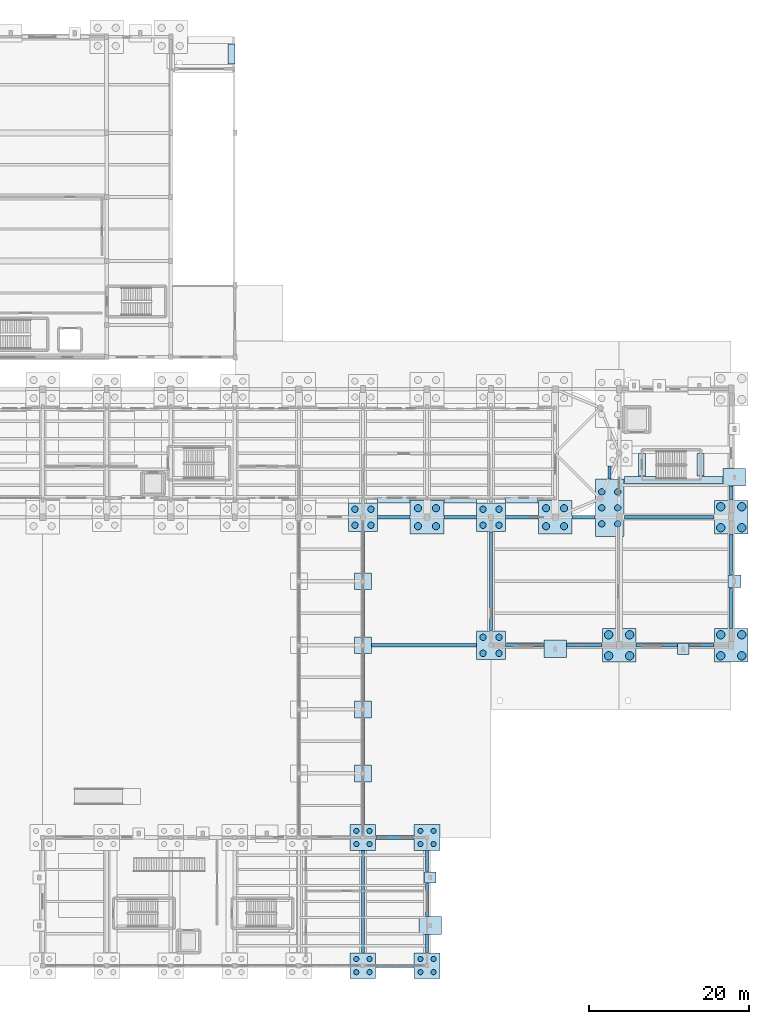
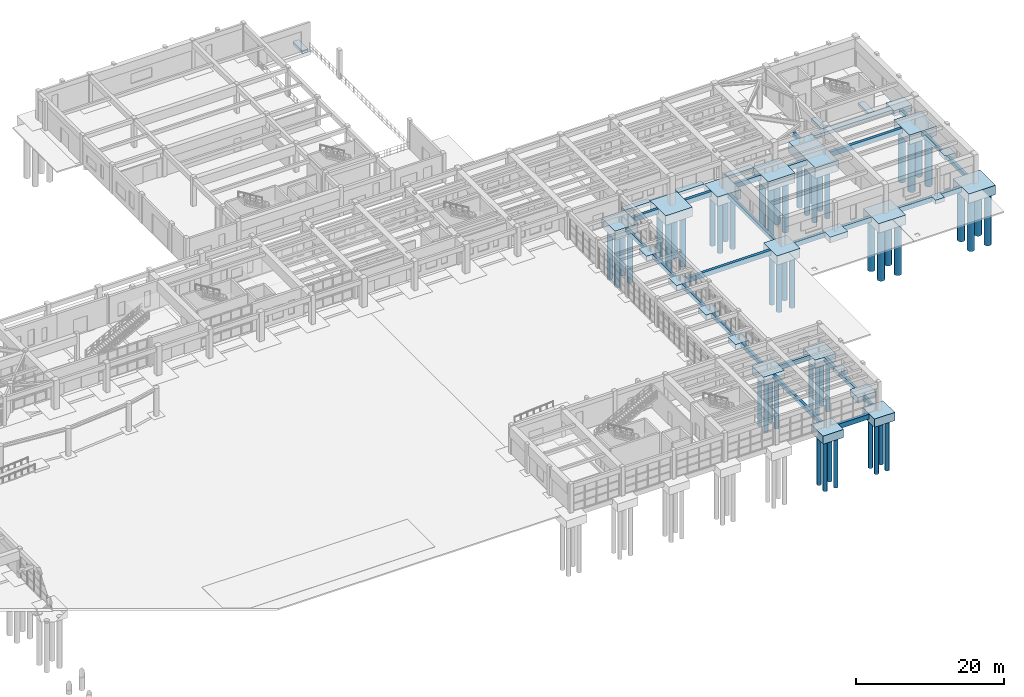
# One storey, part 5 of 68: 56 footings, 54 piles.
"""IFC4 building model written with IfcOpenShell, lengths in metres."""

from ifc_helpers import new_model, si_unit, direction, frame, origin, origin_2d, place, context, subcontext, project, spatial, polyline, rectangle, circle, outline, extrude, material, material_profile, profile_set, type_object, element, save


model = new_model("IFC4")

# Units and contexts
model_context = context("Model", 3, precision=1e-05, world=origin(), true_north=direction((0.0, 1.0)))
body_context = subcontext(model_context, "Body", "Model", "MODEL_VIEW")
ifc_project = project(units=[si_unit("LENGTHUNIT", "METRE"), si_unit("AREAUNIT", "SQUARE_METRE"), si_unit("VOLUMEUNIT", "CUBIC_METRE"), si_unit("PLANEANGLEUNIT", "RADIAN"), si_unit("MASSUNIT", "GRAM", prefix="KILO")], contexts=[model_context])

# Site, building, storey
site_placement = place(None, origin())
site = spatial("IfcSite", under=ifc_project, at=site_placement, CompositionType="ELEMENT")
building_placement = place(site_placement, origin())
building = spatial("IfcBuilding", under=site, at=building_placement, Name="Serraluz Foothill Cableway Terminal", CompositionType="ELEMENT")
storey_placement = place(building_placement, origin())
storey = spatial("IfcBuildingStorey", under=building, at=storey_placement, Name="L00", CompositionType="ELEMENT", Elevation=0.0)

# Footings
ifc_material_1 = material(Name="Concrete C35/45 (f'c 35 MPa)", Category="concrete")
ifc_material_profile_1 = material_profile(ifc_material_1, rectangle(XDim=0.39990234375, YDim=0.64990234375, at=origin_2d()), Name="RC 400x650")
ifc_profile_set_1 = profile_set([ifc_material_profile_1], Name="Concrete C35/45 (f'c 35 MPa)")
footing_type_1 = type_object("IfcFootingType", Name="TYP-FB-400X650", PredefinedType="FOOTING_BEAM", material=ifc_profile_set_1)
footing_1_placement = place(storey_placement, frame((128.0, 1.6240234375, -0.324951171875), z_axis=(0.0, 1.0, 0.0), x_axis=(-1.0, 0.0, 0.0)))
element("IfcFooting", 1, at=footing_1_placement, inside=storey, type_object=footing_type_1, Name="Seismic Tie Footing Beam FB-158", PredefinedType="FOOTING_BEAM", context=body_context, shape_type="SweptSolid", body=[
    extrude(rectangle(XDim=0.39990234375, YDim=0.64990234375, at=origin_2d()), origin(), (0.0, 0.0, 1.0), 12.751953125),
])
footing_2_placement = place(storey_placement, frame((128.0, 17.6240234375, -0.324951171875), z_axis=(0.0, 1.0, 0.0), x_axis=(-1.0, 0.0, 0.0)))
element("IfcFooting", 2, at=footing_2_placement, inside=storey, type_object=footing_type_1, Name="Seismic Tie Footing Beam FB-159", PredefinedType="FOOTING_BEAM", context=body_context, shape_type="SweptSolid", body=[
    extrude(rectangle(XDim=0.39990234375, YDim=0.64990234375, at=origin_2d()), origin(), (0.0, 0.0, 1.0), 5.302001953125),
])
for number, where, z_axis, x_axis, name in (
    (3, (128.0, 25.073974609375, -0.324951171875), (0.0, 1.0, 0.0), (-1.0, 0.0, 0.0), "Seismic Tie Footing Beam FB-160"),
    (4, (128.0, 33.073974609375, -0.324951171875), (0.0, 1.0, 0.0), (-1.0, 0.0, 0.0), "Seismic Tie Footing Beam FB-161"),
    (5, (128.0, 41.073974609375, -0.324951171875), (0.0, 1.0, 0.0), (-1.0, 0.0, 0.0), "Seismic Tie Footing Beam FB-162"),
):
    element("IfcFooting", number, at=place(storey_placement, frame(where, z_axis=z_axis, x_axis=x_axis)), inside=storey, type_object=footing_type_1, Name=name, PredefinedType="FOOTING_BEAM", context=body_context, shape_type="SweptSolid", body=[
        extrude(rectangle(XDim=0.39990234375, YDim=0.64990234375, at=origin_2d()), origin(), (0.0, 0.0, 1.0), 5.85205078125),
    ])
footing_3_placement = place(storey_placement, frame((128.0, 49.073974609375, -0.324951171875), z_axis=(0.0, 1.0, 0.0), x_axis=(-1.0, 0.0, 0.0)))
element("IfcFooting", 6, at=footing_3_placement, inside=storey, type_object=footing_type_1, Name="Seismic Tie Footing Beam FB-163", PredefinedType="FOOTING_BEAM", context=body_context, shape_type="SweptSolid", body=[
    extrude(rectangle(XDim=0.39990234375, YDim=0.64990234375, at=origin_2d()), origin(), (0.0, 0.0, 1.0), 5.10205078125),
])
footing_4_placement = place(storey_placement, frame((136.0, 1.6240234375, -0.324951171875), z_axis=(0.0, 1.0, 0.0), x_axis=(-1.0, 0.0, 0.0)))
element("IfcFooting", 7, at=footing_4_placement, inside=storey, type_object=footing_type_1, Name="Seismic Tie Footing Beam FB-165", PredefinedType="FOOTING_BEAM", context=body_context, shape_type="SweptSolid", body=[
    extrude(rectangle(XDim=0.39990234375, YDim=0.64990234375, at=origin_2d()), origin(), (0.0, 0.0, 1.0), 2.251953125),
])
footing_5_placement = place(storey_placement, frame((136.0, 6.1240234375, -0.324951171875), z_axis=(0.0, 1.0, 0.0), x_axis=(-1.0, 0.0, 0.0)))
element("IfcFooting", 8, at=footing_5_placement, inside=storey, type_object=footing_type_1, Name="Seismic Tie Footing Beam FB-166", PredefinedType="FOOTING_BEAM", context=body_context, shape_type="SweptSolid", body=[
    extrude(rectangle(XDim=0.39990234375, YDim=0.64990234375, at=origin_2d()), origin(), (0.0, 0.0, 1.0), 4.15185546875),
])
footing_6_placement = place(storey_placement, frame((136.0, 11.72412109375, -0.324951171875), z_axis=(0.0, 1.0, 0.0), x_axis=(-1.0, 0.0, 0.0)))
element("IfcFooting", 9, at=footing_6_placement, inside=storey, type_object=footing_type_1, Name="Seismic Tie Footing Beam FB-167", PredefinedType="FOOTING_BEAM", context=body_context, shape_type="SweptSolid", body=[
    extrude(rectangle(XDim=0.39990234375, YDim=0.64990234375, at=origin_2d()), origin(), (0.0, 0.0, 1.0), 2.65185546875),
])
footing_7_placement = place(storey_placement, frame((144.0, 41.823974609375, -0.324951171875), z_axis=(0.0, 1.0, 0.0), x_axis=(-1.0, 0.0, 0.0)))
element("IfcFooting", 10, at=footing_7_placement, inside=storey, type_object=footing_type_1, Name="Seismic Tie Footing Beam FB-169", PredefinedType="FOOTING_BEAM", context=body_context, shape_type="SweptSolid", body=[
    extrude(rectangle(XDim=0.39990234375, YDim=0.64990234375, at=origin_2d()), origin(), (0.0, 0.0, 1.0), 12.35205078125),
])
footing_8_placement = place(storey_placement, frame((158.800048828125, 60.79541015625, -0.324951171875), z_axis=(0.0, 1.0, 0.0), x_axis=(-1.0, 0.0, 0.0)))
element("IfcFooting", 11, at=footing_8_placement, inside=storey, type_object=footing_type_1, Name="Seismic Tie Footing Beam FB-172", PredefinedType="FOOTING_BEAM", context=body_context, shape_type="SweptSolid", body=[
    extrude(rectangle(XDim=0.39990234375, YDim=0.64990234375, at=origin_2d()), origin(), (0.0, 0.0, 1.0), 1.58056640625),
])
for number, where, z_axis, x_axis, name in (
    (12, (174.0, 42.1240234375, -0.324951171875), (0.0, 1.0, 0.0), (-1.0, 0.0, 0.0), "Seismic Tie Footing Beam FB-174"),
    (13, (174.0, 48.823974609375, -0.324951171875), (0.0, 1.0, 0.0), (-1.0, 0.0, 0.0), "Seismic Tie Footing Beam FB-175"),
):
    element("IfcFooting", number, at=place(storey_placement, frame(where, z_axis=z_axis, x_axis=x_axis)), inside=storey, type_object=footing_type_1, Name=name, PredefinedType="FOOTING_BEAM", context=body_context, shape_type="SweptSolid", body=[
        extrude(rectangle(XDim=0.39990234375, YDim=0.64990234375, at=origin_2d()), origin(), (0.0, 0.0, 1.0), 5.052001953125),
    ])
footing_9_placement = place(storey_placement, frame((174.0, 58.1240234375, -0.324951171875), z_axis=(0.0, 1.0, 0.0), x_axis=(-1.0, 0.0, 0.0)))
element("IfcFooting", 14, at=footing_9_placement, inside=storey, type_object=footing_type_1, Name="Seismic Tie Footing Beam FB-176", PredefinedType="FOOTING_BEAM", context=body_context, shape_type="SweptSolid", body=[
    extrude(rectangle(XDim=0.39990234375, YDim=0.64990234375, at=origin_2d()), origin(), (0.0, 0.0, 1.0), 1.751953125),
])
ifc_material_profile_2 = material_profile(ifc_material_1, rectangle(XDim=0.449951171875, YDim=0.800048828125, at=origin_2d()), Name="RC 450x800")
ifc_profile_set_2 = profile_set([ifc_material_profile_2], Name="Concrete C35/45 (f'c 35 MPa)")
footing_type_2 = type_object("IfcFootingType", Name="TYP-FB-450X700", PredefinedType="FOOTING_BEAM", material=ifc_profile_set_2)
for number, where, z_axis, x_axis, name in (
    (15, (129.6240234375, 0.0, -0.39990234375), (1.0, 0.0, 0.0), (0.0, 1.0, 0.0), "Seismic Tie Footing Beam FB-036"),
    (16, (129.6240234375, 16.0, -0.39990234375), (1.0, 0.0, 0.0), (0.0, 1.0, 0.0), "Seismic Tie Footing Beam FB-047"),
):
    element("IfcFooting", number, at=place(storey_placement, frame(where, z_axis=z_axis, x_axis=x_axis)), inside=storey, type_object=footing_type_2, Name=name, PredefinedType="FOOTING_BEAM", context=body_context, shape_type="SweptSolid", body=[
        extrude(rectangle(XDim=0.449951171875, YDim=0.800048828125, at=origin_2d()), origin(), (0.0, 0.0, 1.0), 4.751953125),
    ])
footing_10_placement = place(storey_placement, frame((129.073974609375, 40.0, -0.39990234375), z_axis=(1.0, 0.0, 0.0), x_axis=(0.0, 1.0, 0.0)))
element("IfcFooting", 17, at=footing_10_placement, inside=storey, type_object=footing_type_2, Name="Seismic Tie Footing Beam FB-054", PredefinedType="FOOTING_BEAM", context=body_context, shape_type="SweptSolid", body=[
    extrude(rectangle(XDim=0.449951171875, YDim=0.800048828125, at=origin_2d()), origin(), (0.0, 0.0, 1.0), 13.10205078125),
])
footing_11_placement = place(storey_placement, frame((145.823974609375, 40.0, -0.39990234375), z_axis=(1.0, 0.0, 0.0), x_axis=(0.0, 1.0, 0.0)))
element("IfcFooting", 18, at=footing_11_placement, inside=storey, type_object=footing_type_2, Name="Seismic Tie Footing Beam FB-055", PredefinedType="FOOTING_BEAM", context=body_context, shape_type="SweptSolid", body=[
    extrude(rectangle(XDim=0.449951171875, YDim=0.800048828125, at=origin_2d()), origin(), (0.0, 0.0, 1.0), 4.751953125),
])
footing_12_placement = place(storey_placement, frame((153.424072265625, 40.0, -0.39990234375), z_axis=(1.0, 0.0, 0.0), x_axis=(0.0, 1.0, 0.0)))
element("IfcFooting", 19, at=footing_12_placement, inside=storey, type_object=footing_type_2, Name="Seismic Tie Footing Beam FB-056", PredefinedType="FOOTING_BEAM", context=body_context, shape_type="SweptSolid", body=[
    extrude(rectangle(XDim=0.449951171875, YDim=0.800048828125, at=origin_2d()), origin(), (0.0, 0.0, 1.0), 4.451904296875),
])
footing_13_placement = place(storey_placement, frame((162.1240234375, 40.0, -0.39990234375), z_axis=(1.0, 0.0, 0.0), x_axis=(0.0, 1.0, 0.0)))
element("IfcFooting", 20, at=footing_13_placement, inside=storey, type_object=footing_type_2, Name="Seismic Tie Footing Beam FB-057", PredefinedType="FOOTING_BEAM", context=body_context, shape_type="SweptSolid", body=[
    extrude(rectangle(XDim=0.449951171875, YDim=0.800048828125, at=origin_2d()), origin(), (0.0, 0.0, 1.0), 5.15185546875),
])
footing_14_placement = place(storey_placement, frame((168.72412109375, 40.0, -0.39990234375), z_axis=(1.0, 0.0, 0.0), x_axis=(0.0, 1.0, 0.0)))
element("IfcFooting", 21, at=footing_14_placement, inside=storey, type_object=footing_type_2, Name="Seismic Tie Footing Beam FB-058", PredefinedType="FOOTING_BEAM", context=body_context, shape_type="SweptSolid", body=[
    extrude(rectangle(XDim=0.449951171875, YDim=0.800048828125, at=origin_2d()), origin(), (0.0, 0.0, 1.0), 3.15185546875),
])
for number, where, z_axis, x_axis, name in (
    (22, (129.823974609375, 56.0, -0.39990234375), (1.0, 0.0, 0.0), (0.0, 1.0, 0.0), "Seismic Tie Footing Beam FB-078"),
    (23, (138.1240234375, 56.0, -0.39990234375), (1.0, 0.0, 0.0), (0.0, 1.0, 0.0), "Seismic Tie Footing Beam FB-079"),
    (24, (145.823974609375, 56.0, -0.39990234375), (1.0, 0.0, 0.0), (0.0, 1.0, 0.0), "Seismic Tie Footing Beam FB-080"),
):
    element("IfcFooting", number, at=place(storey_placement, frame(where, z_axis=z_axis, x_axis=x_axis)), inside=storey, type_object=footing_type_2, Name=name, PredefinedType="FOOTING_BEAM", context=body_context, shape_type="SweptSolid", body=[
        extrude(rectangle(XDim=0.449951171875, YDim=0.800048828125, at=origin_2d()), origin(), (0.0, 0.0, 1.0), 4.052001953125),
    ])
footing_15_placement = place(storey_placement, frame((154.1240234375, 56.0, -0.39990234375), z_axis=(1.0, 0.0, 0.0), x_axis=(0.0, 1.0, 0.0)))
element("IfcFooting", 25, at=footing_15_placement, inside=storey, type_object=footing_type_2, Name="Seismic Tie Footing Beam FB-081", PredefinedType="FOOTING_BEAM", context=body_context, shape_type="SweptSolid", body=[
    extrude(rectangle(XDim=0.449951171875, YDim=0.800048828125, at=origin_2d()), origin(), (0.0, 0.0, 1.0), 2.88037109375),
])
footing_16_placement = place(storey_placement, frame((160.652587890625, 56.0, -0.39990234375), z_axis=(1.0, 0.0, 0.0), x_axis=(0.0, 1.0, 0.0)))
element("IfcFooting", 26, at=footing_16_placement, inside=storey, type_object=footing_type_2, Name="Seismic Tie Footing Beam FB-082", PredefinedType="FOOTING_BEAM", context=body_context, shape_type="SweptSolid", body=[
    extrude(rectangle(XDim=0.449951171875, YDim=0.800048828125, at=origin_2d()), origin(), (0.0, 0.0, 1.0), 11.223388671875),
])
footing_type_3 = type_object("IfcFootingType", Name="TYP-PAD-1400X1400X650", PredefinedType="PAD_FOOTING", material=ifc_material_1)
for number, where, z_axis, x_axis, name in (
    (27, (168.0, 39.550048828125, -0.64990234375), (0.0, 0.0, 1.0), (1.0, 0.0, 0.0), "Pilaster Pad Footing 12"),
    (28, (136.419921875, 11.0, -0.64990234375), (0.0, 0.0, 1.0), (1.0, 0.0, 0.0), "Pilaster Pad Footing 24"),
):
    element("IfcFooting", number, at=place(storey_placement, frame(where, z_axis=z_axis, x_axis=x_axis)), inside=storey, type_object=footing_type_3, Name=name, PredefinedType="PAD_FOOTING", context=body_context, shape_type="SweptSolid", body=[
        extrude(rectangle(XDim=1.39990234375, YDim=1.39990234375, at=origin_2d()), origin(), (0.0, 0.0, 1.0), 0.64990234375),
    ])
footing_type_4 = type_object("IfcFootingType", Name="TYP-PAD-1600X1600X700", PredefinedType="PAD_FOOTING", material=ifc_material_1)
footing_17_placement = place(storey_placement, frame((174.39990234375, 48.0, -0.7001953125), z_axis=(0.0, 0.0, 1.0), x_axis=(1.0, 0.0, 0.0)))
element("IfcFooting", 29, at=footing_17_placement, inside=storey, type_object=footing_type_4, Name="Pilaster Pad Footing 13", PredefinedType="PAD_FOOTING", context=body_context, shape_type="SweptSolid", body=[
    extrude(rectangle(XDim=1.60009765625, YDim=1.60009765625, at=origin_2d()), origin(), (0.0, 0.0, 1.0), 0.699951171875),
])
footing_type_5 = type_object("IfcFootingType", Name="TYP-PAD-2100X2100X850", PredefinedType="PAD_FOOTING", material=ifc_material_1)
for number, where, z_axis, x_axis, name in (
    (30, (128.0, 24.0, -0.85009765625), (0.0, 0.0, 1.0), (1.0, 0.0, 0.0), "Pad Footing FTG-PAD-L00-057"),
    (31, (128.0, 32.0, -0.85009765625), (0.0, 0.0, 1.0), (1.0, 0.0, 0.0), "Pad Footing FTG-PAD-L00-059"),
    (32, (128.0, 40.0, -0.85009765625), (0.0, 0.0, 1.0), (1.0, 0.0, 0.0), "Pad Footing FTG-PAD-L00-061"),
    (33, (128.0, 48.0, -0.85009765625), (0.0, 0.0, 1.0), (1.0, 0.0, 0.0), "Pad Footing FTG-PAD-L00-063"),
):
    element("IfcFooting", number, at=place(storey_placement, frame(where, z_axis=z_axis, x_axis=x_axis)), inside=storey, type_object=footing_type_5, Name=name, PredefinedType="PAD_FOOTING", context=body_context, shape_type="SweptSolid", body=[
        extrude(rectangle(XDim=2.10009765625, YDim=2.10009765625, at=origin_2d()), origin(), (0.0, 0.0, 1.0), 0.85009765625),
    ])
footing_type_6 = type_object("IfcFootingType", Name="TYP-PAD-2800X2200X950", PredefinedType="PAD_FOOTING", material=ifc_material_1)
for number, where, z_axis, x_axis, name in (
    (34, (152.0, 39.550048828125, -0.9501953125), (0.0, 0.0, 1.0), (1.0, 0.0, 0.0), "Pilaster Pad Footing 11"),
    (35, (174.39990234375, 61.0, -0.9501953125), (0.0, 0.0, 1.0), (1.0, 0.0, 0.0), "Pilaster Pad Footing 14"),
    (36, (136.419921875, 5.0, -0.9501953125), (0.0, 0.0, 1.0), (1.0, 0.0, 0.0), "Pilaster Pad Footing 23"),
):
    element("IfcFooting", number, at=place(storey_placement, frame(where, z_axis=z_axis, x_axis=x_axis)), inside=storey, type_object=footing_type_6, Name=name, PredefinedType="PAD_FOOTING", context=body_context, shape_type="SweptSolid", body=[
        extrude(rectangle(XDim=2.800048828125, YDim=2.199951171875, at=origin_2d()), origin(), (0.0, 0.0, 1.0), 0.949951171875),
    ])
footing_type_7 = type_object("IfcFootingType", Name="TYP-PC-3200X3200X1350", PredefinedType="PILE_CAP", material=ifc_material_1)
footing_18_placement = place(storey_placement, frame((0.0, 0.0, -1.35009765625)))
element("IfcFooting", 37, at=footing_18_placement, inside=storey, type_object=footing_type_7, Name="Pile Cap FTG-PC-L00-052", PredefinedType="PILE_CAP", context=body_context, shape_type="SweptSolid", body=[
    extrude(outline(polyline([(126.39990234375, -1.60009765625), (129.60009765625, -1.60009765625), (129.60009765625, 1.60009765625), (126.39990234375, 1.60009765625), (126.39990234375, -1.60009765625)])), origin(), (0.0, 0.0, 1.0), 1.35009765625),
])
footing_19_placement = place(storey_placement, frame((0.0, 0.0, -1.35009765625)))
element("IfcFooting", 38, at=footing_19_placement, inside=storey, type_object=footing_type_7, Name="Pile Cap FTG-PC-L00-053", PredefinedType="PILE_CAP", context=body_context, shape_type="SweptSolid", body=[
    extrude(outline(polyline([(126.39990234375, 14.39990234375), (129.60009765625, 14.39990234375), (129.60009765625, 17.60009765625), (126.39990234375, 17.60009765625), (126.39990234375, 14.39990234375)])), origin(), (0.0, 0.0, 1.0), 1.35009765625),
])
footing_20_placement = place(storey_placement, frame((0.0, 0.0, -1.35009765625)))
element("IfcFooting", 39, at=footing_20_placement, inside=storey, type_object=footing_type_7, Name="Pile Cap FTG-PC-L00-054", PredefinedType="PILE_CAP", context=body_context, shape_type="SweptSolid", body=[
    extrude(outline(polyline([(134.39990234375, -1.60009765625), (137.60009765625, -1.60009765625), (137.60009765625, 1.60009765625), (134.39990234375, 1.60009765625), (134.39990234375, -1.60009765625)])), origin(), (0.0, 0.0, 1.0), 1.35009765625),
])
footing_21_placement = place(storey_placement, frame((0.0, 0.0, -1.35009765625)))
element("IfcFooting", 40, at=footing_21_placement, inside=storey, type_object=footing_type_7, Name="Pile Cap FTG-PC-L00-055", PredefinedType="PILE_CAP", context=body_context, shape_type="SweptSolid", body=[
    extrude(outline(polyline([(134.39990234375, 14.39990234375), (137.60009765625, 14.39990234375), (137.60009765625, 17.60009765625), (134.39990234375, 17.60009765625), (134.39990234375, 14.39990234375)])), origin(), (0.0, 0.0, 1.0), 1.35009765625),
])
footing_type_8 = type_object("IfcFootingType", Name="TYP-PC-3600X3600X1500", PredefinedType="PILE_CAP", material=ifc_material_1)
footing_22_placement = place(storey_placement, frame((0.0, 0.0, -1.5)))
element("IfcFooting", 41, at=footing_22_placement, inside=storey, type_object=footing_type_8, Name="Pile Cap FTG-PC-L00-023", PredefinedType="PILE_CAP", context=body_context, shape_type="SweptSolid", body=[
    extrude(outline(polyline([(126.199951171875, 54.199951171875), (129.800048828125, 54.199951171875), (129.800048828125, 57.800048828125), (126.199951171875, 57.800048828125), (126.199951171875, 54.199951171875)])), origin(), (0.0, 0.0, 1.0), 1.5),
])
footing_23_placement = place(storey_placement, frame((0.0, 0.0, -1.5)))
element("IfcFooting", 42, at=footing_23_placement, inside=storey, type_object=footing_type_8, Name="Pile Cap FTG-PC-L00-027", PredefinedType="PILE_CAP", context=body_context, shape_type="SweptSolid", body=[
    extrude(outline(polyline([(142.199951171875, 54.199951171875), (145.800048828125, 54.199951171875), (145.800048828125, 57.800048828125), (142.199951171875, 57.800048828125), (142.199951171875, 54.199951171875)])), origin(), (0.0, 0.0, 1.0), 1.5),
])
footing_24_placement = place(storey_placement, frame((0.0, 0.0, -1.5)))
element("IfcFooting", 43, at=footing_24_placement, inside=storey, type_object=footing_type_8, Name="Pile Cap FTG-PC-L00-037", PredefinedType="PILE_CAP", context=body_context, shape_type="SweptSolid", body=[
    extrude(outline(polyline([(142.199951171875, 38.199951171875), (145.800048828125, 38.199951171875), (145.800048828125, 41.800048828125), (142.199951171875, 41.800048828125), (142.199951171875, 38.199951171875)])), origin(), (0.0, 0.0, 1.0), 1.5),
])
footing_type_9 = type_object("IfcFootingType", Name="TYP-PC-3600X7200X1750", PredefinedType="PILE_CAP", material=ifc_material_1)
footing_25_placement = place(storey_placement, frame((0.0, 0.0, -1.75)))
element("IfcFooting", 44, at=footing_25_placement, inside=storey, type_object=footing_type_9, Name="Pile Cap FTG-PC-L00-034", PredefinedType="PILE_CAP", context=body_context, shape_type="SweptSolid", body=[
    extrude(outline(polyline([(157.0283203125, 53.571533203125), (160.62841796875, 53.571533203125), (160.62841796875, 60.771484375), (157.0283203125, 60.771484375), (157.0283203125, 53.571533203125)])), origin(), (0.0, 0.0, 1.0), 1.75),
])
footing_type_10 = type_object("IfcFootingType", Name="TYP-PC-4200X4200X1550", PredefinedType="PILE_CAP", material=ifc_material_1)
footing_26_placement = place(storey_placement, frame((0.0, 0.0, -1.550048828125)))
element("IfcFooting", 45, at=footing_26_placement, inside=storey, type_object=footing_type_10, Name="Pile Cap FTG-PC-L00-025", PredefinedType="PILE_CAP", context=body_context, shape_type="SweptSolid", body=[
    extrude(outline(polyline([(133.89990234375, 53.89990234375), (138.10009765625, 53.89990234375), (138.10009765625, 58.10009765625), (133.89990234375, 58.10009765625), (133.89990234375, 53.89990234375)])), origin(), (0.0, 0.0, 1.0), 1.550048828125),
])
footing_27_placement = place(storey_placement, frame((0.0, 0.0, -1.550048828125)))
element("IfcFooting", 46, at=footing_27_placement, inside=storey, type_object=footing_type_10, Name="Pile Cap FTG-PC-L00-029", PredefinedType="PILE_CAP", context=body_context, shape_type="SweptSolid", body=[
    extrude(outline(polyline([(149.89990234375, 53.89990234375), (154.10009765625, 53.89990234375), (154.10009765625, 58.10009765625), (149.89990234375, 58.10009765625), (149.89990234375, 53.89990234375)])), origin(), (0.0, 0.0, 1.0), 1.550048828125),
])
footing_28_placement = place(storey_placement, frame((0.0, 0.0, -1.550048828125)))
element("IfcFooting", 47, at=footing_28_placement, inside=storey, type_object=footing_type_10, Name="Pile Cap FTG-PC-L00-038", PredefinedType="PILE_CAP", context=body_context, shape_type="SweptSolid", body=[
    extrude(outline(polyline([(157.89990234375, 37.89990234375), (162.10009765625, 37.89990234375), (162.10009765625, 42.10009765625), (157.89990234375, 42.10009765625), (157.89990234375, 37.89990234375)])), origin(), (0.0, 0.0, 1.0), 1.550048828125),
])
footing_29_placement = place(storey_placement, frame((0.0, 0.0, -1.550048828125)))
element("IfcFooting", 48, at=footing_29_placement, inside=storey, type_object=footing_type_10, Name="Pile Cap FTG-PC-L00-039", PredefinedType="PILE_CAP", context=body_context, shape_type="SweptSolid", body=[
    extrude(outline(polyline([(171.89990234375, 37.89990234375), (176.10009765625, 37.89990234375), (176.10009765625, 42.10009765625), (171.89990234375, 42.10009765625), (171.89990234375, 37.89990234375)])), origin(), (0.0, 0.0, 1.0), 1.550048828125),
])
footing_30_placement = place(storey_placement, frame((0.0, 0.0, -1.550048828125)))
element("IfcFooting", 49, at=footing_30_placement, inside=storey, type_object=footing_type_10, Name="Pile Cap FTG-PC-L00-040", PredefinedType="PILE_CAP", context=body_context, shape_type="SweptSolid", body=[
    extrude(outline(polyline([(171.89990234375, 53.89990234375), (176.10009765625, 53.89990234375), (176.10009765625, 58.10009765625), (171.89990234375, 58.10009765625), (171.89990234375, 53.89990234375)])), origin(), (0.0, 0.0, 1.0), 1.550048828125),
])

# Piles
ifc_material_2 = material(Name="Concrete C28/35 (f'c 28 MPa)", Category="concrete")
ifc_material_profile_3 = material_profile(ifc_material_2, circle(Radius=0.52490234375, at=origin_2d()), Name="BORED PILE D1050")
ifc_profile_set_3 = profile_set([ifc_material_profile_3], Name="Concrete C28/35 (f'c 28 MPa)")
pile_type_1 = type_object("IfcPileType", Name="TYP-PILE-D1050", PredefinedType="BORED", material=ifc_profile_set_3)
for number, where, z_axis, x_axis, name in (
    (50, (158.6875, 38.6875, -1.449951171875), (0.0, 0.0, -1.0), (1.0, 0.0, 0.0), "Bored Pile PIL-L00-038-01"),
    (51, (158.6875, 41.3125, -1.449951171875), (0.0, 0.0, -1.0), (1.0, 0.0, 0.0), "Bored Pile PIL-L00-038-02"),
    (52, (161.3125, 38.6875, -1.449951171875), (0.0, 0.0, -1.0), (1.0, 0.0, 0.0), "Bored Pile PIL-L00-038-03"),
    (53, (161.3125, 41.3125, -1.449951171875), (0.0, 0.0, -1.0), (1.0, 0.0, 0.0), "Bored Pile PIL-L00-038-04"),
    (54, (172.6875, 38.6875, -1.449951171875), (0.0, 0.0, -1.0), (1.0, 0.0, 0.0), "Bored Pile PIL-L00-039-01"),
    (55, (172.6875, 41.3125, -1.449951171875), (0.0, 0.0, -1.0), (1.0, 0.0, 0.0), "Bored Pile PIL-L00-039-02"),
    (56, (175.3125, 38.6875, -1.449951171875), (0.0, 0.0, -1.0), (1.0, 0.0, 0.0), "Bored Pile PIL-L00-039-03"),
    (57, (175.3125, 41.3125, -1.449951171875), (0.0, 0.0, -1.0), (1.0, 0.0, 0.0), "Bored Pile PIL-L00-039-04"),
    (58, (172.6875, 54.6875, -1.449951171875), (0.0, 0.0, -1.0), (1.0, 0.0, 0.0), "Bored Pile PIL-L00-040-01"),
    (59, (172.6875, 57.3125, -1.449951171875), (0.0, 0.0, -1.0), (1.0, 0.0, 0.0), "Bored Pile PIL-L00-040-02"),
    (60, (175.3125, 54.6875, -1.449951171875), (0.0, 0.0, -1.0), (1.0, 0.0, 0.0), "Bored Pile PIL-L00-040-03"),
    (61, (175.3125, 57.3125, -1.449951171875), (0.0, 0.0, -1.0), (1.0, 0.0, 0.0), "Bored Pile PIL-L00-040-04"),
):
    element("IfcPile", number, at=place(storey_placement, frame(where, z_axis=z_axis, x_axis=x_axis)), inside=storey, type_object=pile_type_1, Name=name, PredefinedType="BORED", context=body_context, shape_type="SweptSolid", body=[
        extrude(circle(Radius=0.52490234375, at=origin_2d()), origin(), (0.0, 0.0, 1.0), 8.39990234375),
    ])
ifc_material_profile_4 = material_profile(ifc_material_2, circle(Radius=0.324951171875, at=origin_2d()), Name="BORED PILE D650")
ifc_profile_set_4 = profile_set([ifc_material_profile_4], Name="Concrete C28/35 (f'c 28 MPa)")
pile_type_2 = type_object("IfcPileType", Name="TYP-PILE-D650", PredefinedType="BORED", material=ifc_profile_set_4)
for number, where, z_axis, x_axis, name in (
    (62, (127.175048828125, -0.824951171875, -1.25), (0.0, 0.0, -1.0), (1.0, 0.0, 0.0), "Bored Pile PIL-L00-052-01"),
    (63, (127.175048828125, 0.824951171875, -1.25), (0.0, 0.0, -1.0), (1.0, 0.0, 0.0), "Bored Pile PIL-L00-052-02"),
    (64, (128.824951171875, -0.824951171875, -1.25), (0.0, 0.0, -1.0), (1.0, 0.0, 0.0), "Bored Pile PIL-L00-052-03"),
    (65, (128.824951171875, 0.824951171875, -1.25), (0.0, 0.0, -1.0), (1.0, 0.0, 0.0), "Bored Pile PIL-L00-052-04"),
    (66, (127.175048828125, 15.175048828125, -1.25), (0.0, 0.0, -1.0), (1.0, 0.0, 0.0), "Bored Pile PIL-L00-053-01"),
    (67, (127.175048828125, 16.824951171875, -1.25), (0.0, 0.0, -1.0), (1.0, 0.0, 0.0), "Bored Pile PIL-L00-053-02"),
    (68, (128.824951171875, 15.175048828125, -1.25), (0.0, 0.0, -1.0), (1.0, 0.0, 0.0), "Bored Pile PIL-L00-053-03"),
    (69, (128.824951171875, 16.824951171875, -1.25), (0.0, 0.0, -1.0), (1.0, 0.0, 0.0), "Bored Pile PIL-L00-053-04"),
    (70, (135.175048828125, -0.824951171875, -1.25), (0.0, 0.0, -1.0), (1.0, 0.0, 0.0), "Bored Pile PIL-L00-054-01"),
    (71, (135.175048828125, 0.824951171875, -1.25), (0.0, 0.0, -1.0), (1.0, 0.0, 0.0), "Bored Pile PIL-L00-054-02"),
    (72, (136.824951171875, -0.824951171875, -1.25), (0.0, 0.0, -1.0), (1.0, 0.0, 0.0), "Bored Pile PIL-L00-054-03"),
    (73, (136.824951171875, 0.824951171875, -1.25), (0.0, 0.0, -1.0), (1.0, 0.0, 0.0), "Bored Pile PIL-L00-054-04"),
    (74, (135.175048828125, 15.175048828125, -1.25), (0.0, 0.0, -1.0), (1.0, 0.0, 0.0), "Bored Pile PIL-L00-055-01"),
    (75, (135.175048828125, 16.824951171875, -1.25), (0.0, 0.0, -1.0), (1.0, 0.0, 0.0), "Bored Pile PIL-L00-055-02"),
    (76, (136.824951171875, 15.175048828125, -1.25), (0.0, 0.0, -1.0), (1.0, 0.0, 0.0), "Bored Pile PIL-L00-055-03"),
    (77, (136.824951171875, 16.824951171875, -1.25), (0.0, 0.0, -1.0), (1.0, 0.0, 0.0), "Bored Pile PIL-L00-055-04"),
):
    element("IfcPile", number, at=place(storey_placement, frame(where, z_axis=z_axis, x_axis=x_axis)), inside=storey, type_object=pile_type_2, Name=name, PredefinedType="BORED", context=body_context, shape_type="SweptSolid", body=[
        extrude(circle(Radius=0.324951171875, at=origin_2d()), origin(), (0.0, 0.0, 1.0), 8.39990234375),
    ])
ifc_material_profile_5 = material_profile(ifc_material_2, circle(Radius=0.39990234375, at=origin_2d()), Name="BORED PILE D800")
ifc_profile_set_5 = profile_set([ifc_material_profile_5], Name="Concrete C28/35 (f'c 28 MPa)")
pile_type_3 = type_object("IfcPileType", Name="TYP-PILE-D800", PredefinedType="BORED", material=ifc_profile_set_5)
for number, where, z_axis, x_axis, name in (
    (78, (127.0, 55.0, -1.39990234375), (0.0, 0.0, -1.0), (1.0, 0.0, 0.0), "Bored Pile PIL-L00-023-01"),
    (79, (127.0, 57.0, -1.39990234375), (0.0, 0.0, -1.0), (1.0, 0.0, 0.0), "Bored Pile PIL-L00-023-02"),
    (80, (129.0, 55.0, -1.39990234375), (0.0, 0.0, -1.0), (1.0, 0.0, 0.0), "Bored Pile PIL-L00-023-03"),
    (81, (129.0, 57.0, -1.39990234375), (0.0, 0.0, -1.0), (1.0, 0.0, 0.0), "Bored Pile PIL-L00-023-04"),
    (82, (143.0, 55.0, -1.39990234375), (0.0, 0.0, -1.0), (1.0, 0.0, 0.0), "Bored Pile PIL-L00-027-01"),
    (83, (143.0, 57.0, -1.39990234375), (0.0, 0.0, -1.0), (1.0, 0.0, 0.0), "Bored Pile PIL-L00-027-02"),
    (84, (145.0, 55.0, -1.39990234375), (0.0, 0.0, -1.0), (1.0, 0.0, 0.0), "Bored Pile PIL-L00-027-03"),
    (85, (145.0, 57.0, -1.39990234375), (0.0, 0.0, -1.0), (1.0, 0.0, 0.0), "Bored Pile PIL-L00-027-04"),
    (86, (157.82861328125, 55.17138671875, -1.64990234375), (0.0, 0.0, -1.0), (1.0, 0.0, 0.0), "Bored Pile PIL-L00-034-01"),
    (87, (157.82861328125, 57.17138671875, -1.64990234375), (0.0, 0.0, -1.0), (1.0, 0.0, 0.0), "Bored Pile PIL-L00-034-02"),
    (88, (157.82861328125, 59.17138671875, -1.64990234375), (0.0, 0.0, -1.0), (1.0, 0.0, 0.0), "Bored Pile PIL-L00-034-03"),
    (89, (159.82861328125, 55.17138671875, -1.64990234375), (0.0, 0.0, -1.0), (1.0, 0.0, 0.0), "Bored Pile PIL-L00-034-04"),
    (90, (159.82861328125, 57.17138671875, -1.64990234375), (0.0, 0.0, -1.0), (1.0, 0.0, 0.0), "Bored Pile PIL-L00-034-05"),
    (91, (159.82861328125, 59.17138671875, -1.64990234375), (0.0, 0.0, -1.0), (1.0, 0.0, 0.0), "Bored Pile PIL-L00-034-06"),
    (92, (143.0, 39.0, -1.39990234375), (0.0, 0.0, -1.0), (1.0, 0.0, 0.0), "Bored Pile PIL-L00-037-01"),
    (93, (143.0, 41.0, -1.39990234375), (0.0, 0.0, -1.0), (1.0, 0.0, 0.0), "Bored Pile PIL-L00-037-02"),
    (94, (145.0, 39.0, -1.39990234375), (0.0, 0.0, -1.0), (1.0, 0.0, 0.0), "Bored Pile PIL-L00-037-03"),
    (95, (145.0, 41.0, -1.39990234375), (0.0, 0.0, -1.0), (1.0, 0.0, 0.0), "Bored Pile PIL-L00-037-04"),
):
    element("IfcPile", number, at=place(storey_placement, frame(where, z_axis=z_axis, x_axis=x_axis)), inside=storey, type_object=pile_type_3, Name=name, PredefinedType="BORED", context=body_context, shape_type="SweptSolid", body=[
        extrude(circle(Radius=0.39990234375, at=origin_2d()), origin(), (0.0, 0.0, 1.0), 8.39990234375),
    ])
ifc_material_profile_6 = material_profile(ifc_material_2, circle(Radius=0.449951171875, at=origin_2d()), Name="BORED PILE D900")
ifc_profile_set_6 = profile_set([ifc_material_profile_6], Name="Concrete C28/35 (f'c 28 MPa)")
pile_type_4 = type_object("IfcPileType", Name="TYP-PILE-D900", PredefinedType="BORED", material=ifc_profile_set_6)
for number, where, z_axis, x_axis, name in (
    (96, (134.875, 54.875, -1.449951171875), (0.0, 0.0, -1.0), (1.0, 0.0, 0.0), "Bored Pile PIL-L00-025-01"),
    (97, (134.875, 57.125, -1.449951171875), (0.0, 0.0, -1.0), (1.0, 0.0, 0.0), "Bored Pile PIL-L00-025-02"),
    (98, (137.125, 54.875, -1.449951171875), (0.0, 0.0, -1.0), (1.0, 0.0, 0.0), "Bored Pile PIL-L00-025-03"),
    (99, (137.125, 57.125, -1.449951171875), (0.0, 0.0, -1.0), (1.0, 0.0, 0.0), "Bored Pile PIL-L00-025-04"),
    (100, (150.875, 54.875, -1.449951171875), (0.0, 0.0, -1.0), (1.0, 0.0, 0.0), "Bored Pile PIL-L00-029-01"),
    (101, (150.875, 57.125, -1.449951171875), (0.0, 0.0, -1.0), (1.0, 0.0, 0.0), "Bored Pile PIL-L00-029-02"),
    (102, (153.125, 54.875, -1.449951171875), (0.0, 0.0, -1.0), (1.0, 0.0, 0.0), "Bored Pile PIL-L00-029-03"),
    (103, (153.125, 57.125, -1.449951171875), (0.0, 0.0, -1.0), (1.0, 0.0, 0.0), "Bored Pile PIL-L00-029-04"),
):
    element("IfcPile", number, at=place(storey_placement, frame(where, z_axis=z_axis, x_axis=x_axis)), inside=storey, type_object=pile_type_4, Name=name, PredefinedType="BORED", context=body_context, shape_type="SweptSolid", body=[
        extrude(circle(Radius=0.449951171875, at=origin_2d()), origin(), (0.0, 0.0, 1.0), 8.39990234375),
    ])

# Footings
ifc_material_profile_7 = material_profile(ifc_material_1, rectangle(XDim=0.89990234375, YDim=0.5, at=origin_2d()), Name="SF 900x500")
ifc_profile_set_7 = profile_set([ifc_material_profile_7], Name="Concrete C35/45 (f'c 35 MPa)")
footing_type_11 = type_object("IfcFootingType", Name="TYP-SF-900X500", PredefinedType="STRIP_FOOTING", material=ifc_profile_set_7)
for number, where, z_axis, x_axis, name in (
    (104, (129.823974609375, 58.25, -0.25), (1.0, 0.0, 0.0), (0.0, 1.0, 0.0), "Continuous Strip Footing SF-V1-RECS-12"),
    (105, (138.1240234375, 58.25, -0.25), (1.0, 0.0, 0.0), (0.0, 1.0, 0.0), "Continuous Strip Footing SF-V1-RECS-13"),
    (106, (145.823974609375, 58.25, -0.25), (1.0, 0.0, 0.0), (0.0, 1.0, 0.0), "Continuous Strip Footing SF-V1-RECS-14"),
):
    element("IfcFooting", number, at=place(storey_placement, frame(where, z_axis=z_axis, x_axis=x_axis)), inside=storey, type_object=footing_type_11, Name=name, PredefinedType="STRIP_FOOTING", context=body_context, shape_type="SweptSolid", body=[
        extrude(rectangle(XDim=0.89990234375, YDim=0.5, at=origin_2d()), origin(), (0.0, 0.0, 1.0), 4.052001953125),
    ])
footing_31_placement = place(storey_placement, frame((160.652587890625, 60.64990234375, -0.25), z_axis=(1.0, 0.0, 0.0), x_axis=(0.0, 1.0, 0.0)))
element("IfcFooting", 107, at=footing_31_placement, inside=storey, type_object=footing_type_11, Name="Continuous Strip Footing SF-CORE-5-S", PredefinedType="STRIP_FOOTING", context=body_context, shape_type="SweptSolid", body=[
    extrude(rectangle(XDim=0.89990234375, YDim=0.5, at=origin_2d()), origin(), (0.0, 0.0, 1.0), 12.323486328125),
])
for number, where, z_axis, x_axis, name in (
    (108, (162.85009765625, 61.1240234375, -0.25), (0.0, 1.0, 0.0), (-1.0, 0.0, 0.0), "Continuous Strip Footing SF-CORE-5-W"),
    (109, (170.175048828125, 61.1240234375, -0.25), (0.0, 1.0, 0.0), (-1.0, 0.0, 0.0), "Continuous Strip Footing SF-CORE-5-E"),
):
    element("IfcFooting", number, at=place(storey_placement, frame(where, z_axis=z_axis, x_axis=x_axis)), inside=storey, type_object=footing_type_11, Name=name, PredefinedType="STRIP_FOOTING", context=body_context, shape_type="SweptSolid", body=[
        extrude(rectangle(XDim=0.89990234375, YDim=0.5, at=origin_2d()), origin(), (0.0, 0.0, 1.0), 2.83203125),
    ])
footing_32_placement = place(storey_placement, frame((111.60009765625, 112.573974609375, -0.64990234375), z_axis=(0.0, 1.0, 0.0), x_axis=(-1.0, 0.0, 0.0)))
element("IfcFooting", 110, at=footing_32_placement, inside=storey, type_object=footing_type_11, Name="Continuous Strip Footing SF-RAMP-APRN2", PredefinedType="STRIP_FOOTING", context=body_context, shape_type="SweptSolid", body=[
    extrude(rectangle(XDim=0.89990234375, YDim=0.5, at=origin_2d()), origin(), (0.0, 0.0, 1.0), 2.552001953125),
])

save(model, "model.ifc")
